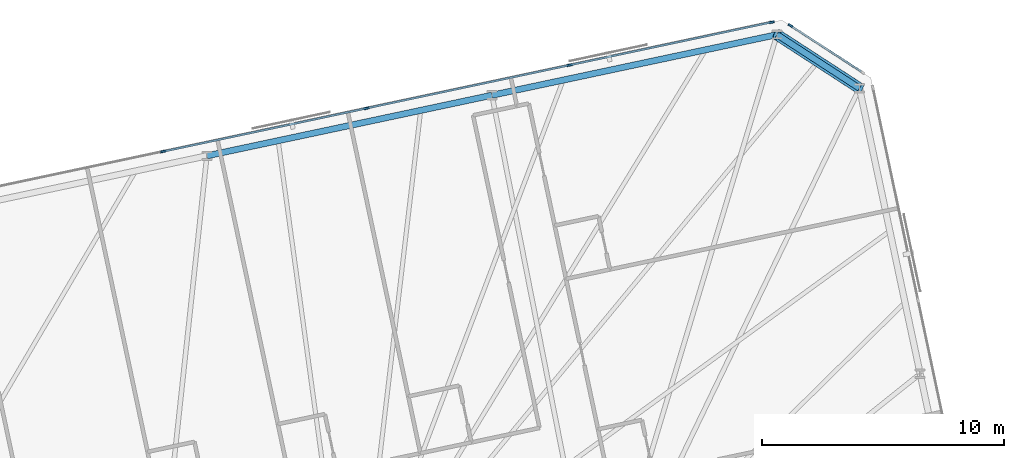
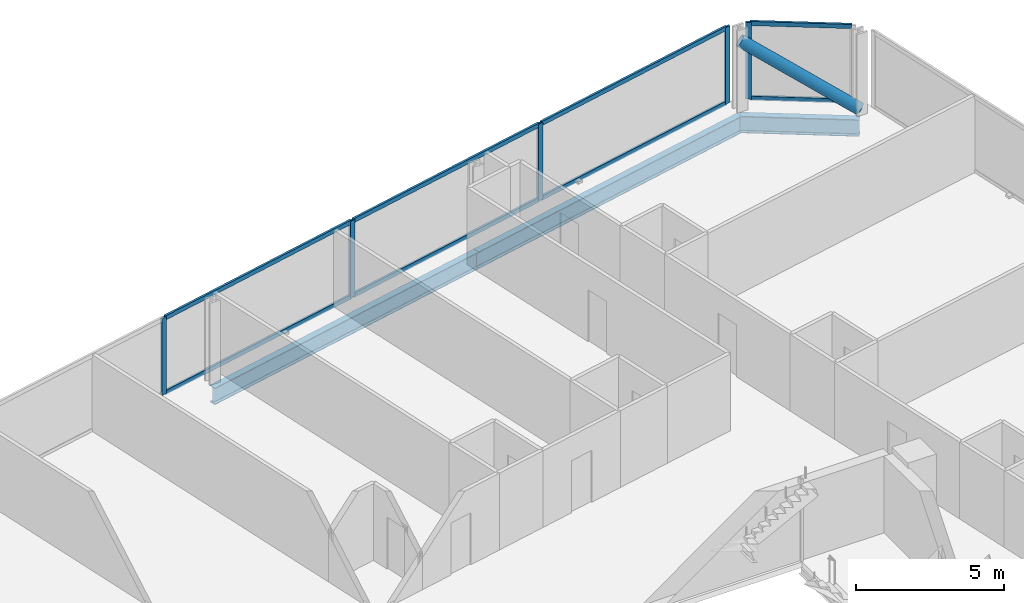
# One storey, part 11 of 20: 14 members, 3 beams, 2 elements without a shape of their own.
"""IFC4 building model written with IfcOpenShell, lengths in metres."""

import ifcopenshell
import ifcopenshell.guid

model = None  # the IFC model being written
_history = None  # IfcOwnerHistory: only IFC2X3 demands one
_inside = {}  # id of a spatial element -> (the spatial element, [elements in it])
_under = {}  # id of a project, library or spatial element -> (it, [spatial elements below it])
_declared = {}  # id of a project -> (the project, [libraries it declares])
_typed = {}  # id of a type object -> (the type object, [elements of that type])
_made_of = {}  # id of a material, layer set ... -> (it, [elements and type objects made of it])


def new_model(schema):
    """Start an empty IFC model of exactly this schema.

    Asked for "IFC4X3", IfcOpenShell would pick the latest addendum, in which some entities
    have other attributes; the version numbers below select the first issue.
    IFC2X3 requires an IfcOwnerHistory on every rooted entity: one is made here for all.
    """
    global model, _history
    if schema == "IFC4X3":
        model = ifcopenshell.file(schema_version=(4, 3, 0, 0))
    else:
        model = ifcopenshell.file(schema=schema)
    _inside.clear()
    _under.clear()
    _declared.clear()
    _typed.clear()
    _made_of.clear()
    _history = None
    if model.schema == "IFC2X3":
        org = make("IfcOrganization", Name="unknown")
        user = make(
            "IfcPersonAndOrganization",
            ThePerson=make("IfcPerson", FamilyName="unknown"),
            TheOrganization=org,
        )
        app = make(
            "IfcApplication",
            ApplicationDeveloper=org,
            Version="unknown",
            ApplicationFullName="unknown",
            ApplicationIdentifier="unknown",
        )
        _history = make(
            "IfcOwnerHistory",
            OwningUser=user,
            OwningApplication=app,
            ChangeAction="ADDED",
            CreationDate=0,
        )
    return model


def make(cls, **values):
    """One entity of the class cls with the attributes given. An attribute that is None is left unset."""
    return model.create_entity(
        cls, **{name: value for name, value in values.items() if value is not None}
    )


def rooted(cls, **values):
    """An entity with a GlobalId (a new one), such as an element, a storey or a relation."""
    return make(cls, GlobalId=ifcopenshell.guid.new(), OwnerHistory=_history, **values)


def si_unit(unit_type, name, prefix=None):
    """IfcSIUnit, for example si_unit("LENGTHUNIT", "METRE", prefix="MILLI")."""
    return make("IfcSIUnit", UnitType=unit_type, Prefix=prefix, Name=name)


def assignment(units):
    """IfcUnitAssignment: the units of a project."""
    return None if units is None else make("IfcUnitAssignment", Units=units)


def point(xyz):
    """IfcCartesianPoint."""
    return None if xyz is None else make("IfcCartesianPoint", Coordinates=xyz)


def direction(xyz):
    """IfcDirection."""
    return None if xyz is None else make("IfcDirection", DirectionRatios=xyz)


def frame(location, z_axis=None, x_axis=None):
    """IfcAxis2Placement3D, a coordinate frame: its origin and axes. An axis left out is left unset."""
    return make(
        "IfcAxis2Placement3D",
        Location=point(location),
        Axis=direction(z_axis),
        RefDirection=direction(x_axis),
    )


def frame_2d(location, x_axis=None):
    """IfcAxis2Placement2D, a coordinate frame in the plane: its origin and x axis."""
    return make(
        "IfcAxis2Placement2D", Location=point(location), RefDirection=direction(x_axis)
    )


def origin():
    """The frame at (0, 0, 0) with its axes left unset."""
    return frame((0.0, 0.0, 0.0))


def origin_2d():
    """The frame at (0, 0) in the plane with its x axis left unset."""
    return frame_2d((0.0, 0.0))


def place(relative_to, where):
    """IfcLocalPlacement: puts the frame where relative to a parent placement (None: the world)."""
    return make(
        "IfcLocalPlacement", PlacementRelTo=relative_to, RelativePlacement=where
    )


def context(
    kind, dimensions, precision=None, world=None, true_north=None, identifier=None
):
    """IfcGeometricRepresentationContext, for example the 3D "Model" context."""
    return make(
        "IfcGeometricRepresentationContext",
        ContextIdentifier=identifier,
        ContextType=kind,
        CoordinateSpaceDimension=dimensions,
        Precision=precision,
        WorldCoordinateSystem=world,
        TrueNorth=true_north,
    )


def subcontext(parent, identifier, kind, view, scale=None):
    """IfcGeometricRepresentationSubContext, for example "Body" below "Model"."""
    return make(
        "IfcGeometricRepresentationSubContext",
        ContextIdentifier=identifier,
        ContextType=kind,
        ParentContext=parent,
        TargetScale=scale,
        TargetView=view,
    )


def project(units=None, contexts=None):
    """IfcProject with its units and contexts."""
    return rooted(
        "IfcProject",
        Name="project",
        RepresentationContexts=contexts,
        UnitsInContext=assignment(units),
    )


def spatial(cls, under=None, at=None, **own):
    """A site, building, storey or space (cls), placed at a placement, below another one or the project."""
    s = rooted(cls, ObjectPlacement=at, **own)
    if under is not None:
        _under.setdefault(under.id(), (under, []))[1].append(s)
    return s


def profile(cls, at=None, kind="AREA", **sizes):
    """A parametric profile (cls). Its sizes go by their IFC names, for example OverallWidth=200.0."""
    return make(cls, ProfileType=kind, Position=at, **sizes)


def rectangle(**sizes):
    """IfcRectangleProfileDef."""
    return profile("IfcRectangleProfileDef", **sizes)


def hollow_circle(**sizes):
    """IfcCircleHollowProfileDef."""
    return profile("IfcCircleHollowProfileDef", **sizes)


def i_section(**sizes):
    """IfcIShapeProfileDef."""
    return profile("IfcIShapeProfileDef", **sizes)


def extrude(swept, where, along, depth):
    """IfcExtrudedAreaSolid: the profile swept, set in the frame where, extruded along a direction by depth."""
    return make(
        "IfcExtrudedAreaSolid",
        SweptArea=swept,
        Position=where,
        ExtrudedDirection=direction(along),
        Depth=depth,
    )


def shape(context_of_items, identifier, shape_type, items):
    """IfcShapeRepresentation: the items that make up one representation, for example the "Body"."""
    return make(
        "IfcShapeRepresentation",
        ContextOfItems=context_of_items,
        RepresentationIdentifier=identifier,
        RepresentationType=shape_type,
        Items=items,
    )


def material(Name=None, Category=None):
    """IfcMaterial."""
    return make("IfcMaterial", Name=Name, Category=Category)


def material_profile(
    of_material, cross_section, Name=None, Category=None, Priority=None
):
    """IfcMaterialProfile: a cross section and its material."""
    return make(
        "IfcMaterialProfile",
        Name=Name,
        Material=of_material,
        Profile=cross_section,
        Priority=Priority,
        Category=Category,
    )


def profile_set(profiles, Name=None, composite=None):
    """IfcMaterialProfileSet."""
    return make(
        "IfcMaterialProfileSet",
        Name=Name,
        MaterialProfiles=profiles,
        CompositeProfile=composite,
    )


def made_of(thing, what):
    """Note that an element or type object is made of a material, layer set ...; save() writes the relation."""
    if what is not None:
        _made_of.setdefault(what.id(), (what, []))[1].append(thing)
    return thing


def type_object(cls, material=None, **own):
    """A type object (cls), such as IfcWallType, which elements share."""
    return made_of(rooted(cls, **own), material)


def element(
    cls,
    number,
    at=None,
    inside=None,
    cuts=None,
    type_object=None,
    material=None,
    context=None,
    identifier="Body",
    shape_type=None,
    held_by="IfcProductDefinitionShape",
    body=None,
    shapes=None,
    **own,
):
    """One element of the class cls, such as IfcWall. Its Tag is "e" and its number.

    at: its placement. inside: the storey or other place that contains it. cuts: it is an
    opening in that element (IfcRelVoidsElement). A single representation is given by context,
    identifier, shape_type and body (its items); several are given by shapes. held_by: the class
    of the entity that holds the representations. save() writes the other relations.
    """
    e = rooted(cls, Tag="e%d" % number, ObjectPlacement=at, **own)
    if body is not None:
        shapes = [shape(context, identifier, shape_type, body)]
    if shapes is not None:
        e.Representation = make(held_by, Representations=shapes)
    if inside is not None:
        _inside.setdefault(inside.id(), (inside, []))[1].append(e)
    if cuts is not None:
        rooted(
            "IfcRelVoidsElement", RelatingBuildingElement=cuts, RelatedOpeningElement=e
        )
    if type_object is not None:
        _typed.setdefault(type_object.id(), (type_object, []))[1].append(e)
    return made_of(e, material)


def aggregate(whole, parts):
    """IfcRelAggregates: a whole, such as a stair, and the parts it consists of."""
    return rooted("IfcRelAggregates", RelatingObject=whole, RelatedObjects=parts)


def save(model, path):
    """Write the relations noted so far, then the file.

    IfcRelAggregates (storeys below a building ...), IfcRelContainedInSpatialStructure (elements
    in a storey), IfcRelDefinesByType, IfcRelAssociatesMaterial and IfcRelDeclares: one each for
    every whole, place, type object, material and project.
    """
    for whole, parts in _under.values():
        aggregate(whole, parts)
    for where, things in _inside.values():
        rooted(
            "IfcRelContainedInSpatialStructure",
            RelatedElements=things,
            RelatingStructure=where,
        )
    for kind, things in _typed.values():
        rooted("IfcRelDefinesByType", RelatedObjects=things, RelatingType=kind)
    for what, things in _made_of.values():
        rooted("IfcRelAssociatesMaterial", RelatedObjects=things, RelatingMaterial=what)
    for by, libraries in _declared.values():
        rooted("IfcRelDeclares", RelatingContext=by, RelatedDefinitions=libraries)
    model.write(path)


model = new_model("IFC4")

# Units and contexts
model_context = context("Model", 3, precision=1e-05, world=origin(), true_north=direction((0.0, 1.0)))
body_context = subcontext(model_context, "Body", "Model", "MODEL_VIEW")
ifc_project = project(units=[si_unit("LENGTHUNIT", "METRE"), si_unit("AREAUNIT", "SQUARE_METRE"), si_unit("VOLUMEUNIT", "CUBIC_METRE"), si_unit("PLANEANGLEUNIT", "RADIAN"), si_unit("MASSUNIT", "GRAM", prefix="KILO")], contexts=[model_context])

# Site, building, storey
site_placement = place(None, origin())
site = spatial("IfcSite", under=ifc_project, at=site_placement, CompositionType="ELEMENT")
building_placement = place(site_placement, origin())
building = spatial("IfcBuilding", under=site, at=building_placement, Name="Menara Jurai Vektor", CompositionType="ELEMENT")
storey_placement = place(building_placement, frame((0.0, 0.0, 178.60009765625)))
storey = spatial("IfcBuildingStorey", under=building, at=storey_placement, Name="L46", CompositionType="ELEMENT", Elevation=178.60009765625)

# Curtain wall, member
ifc_material_1 = material(Name="Anodised Pale Aluminium & Low-E Double Glazing", Category="aluminium")
curtain_wall_type = type_object("IfcCurtainWallType", Name="CW-BLK3", PredefinedType="NOTDEFINED", material=ifc_material_1)
curtain_wall_1_placement = place(storey_placement, origin())
curtain_wall_1 = element("IfcCurtainWall", 1, at=curtain_wall_1_placement, inside=storey, type_object=curtain_wall_type, Name="Unitised Curtain Wall L46 F04", PredefinedType="NOTDEFINED")
ifc_material_2 = material(Name="Anodised Pale Aluminium Mullion", Category="aluminium")
ifc_material_profile_1 = material_profile(ifc_material_2, rectangle(XDim=0.0849609375, YDim=0.205078125, at=origin_2d()), Name="ALU MUL 85x205")
ifc_profile_set_1 = profile_set([ifc_material_profile_1], Name="Anodised Pale Aluminium Mullion")
member_type_1 = type_object("IfcMemberType", Name="CW-BLK3-MUL", PredefinedType="MULLION", material=ifc_profile_set_1)
member_1_placement = place(storey_placement, frame((23.219970703125, 29.920654296875, 0.0), z_axis=(0.0, 0.0, 1.0), x_axis=(-0.544617794346, -0.838684361415, 0.0)))
member_1 = element("IfcMember", 2, at=member_1_placement, type_object=member_type_1, Name="CW-03 mullion 2", PredefinedType="MULLION", context=body_context, shape_type="SweptSolid", body=[
    extrude(rectangle(XDim=0.0849609375, YDim=0.205078125, at=origin_2d()), origin(), (0.0, 0.0, 1.0), 3.1748046875),
])

# Curtain wall, members
curtain_wall_2_placement = place(storey_placement, origin())
curtain_wall_2 = element("IfcCurtainWall", 3, at=curtain_wall_2_placement, inside=storey, type_object=curtain_wall_type, Name="Unitised Curtain Wall L46 F05", PredefinedType="NOTDEFINED")
member_2_placement = place(storey_placement, frame((22.452392578125, 30.062744140625, 0.0), z_axis=(0.0, 0.0, 1.0), x_axis=(0.207911344156, -0.978147674419, 0.0)))
member_2 = element("IfcMember", 4, at=member_2_placement, type_object=member_type_1, Name="CW-03 mullion 1", PredefinedType="MULLION", context=body_context, shape_type="SweptSolid", body=[
    extrude(rectangle(XDim=0.0849609375, YDim=0.205078125, at=origin_2d()), origin(), (0.0, 0.0, 1.0), 3.1748046875),
])
member_3_placement = place(storey_placement, frame((14.104248046875, 28.288330078125, 0.0), z_axis=(0.0, 0.0, 1.0), x_axis=(0.207911344156, -0.978147674419, 0.0)))
member_3 = element("IfcMember", 5, at=member_3_placement, type_object=member_type_1, Name="CW-03 mullion 2", PredefinedType="MULLION", context=body_context, shape_type="SweptSolid", body=[
    extrude(rectangle(XDim=0.0849609375, YDim=0.205078125, at=origin_2d()), origin(), (0.0, 0.0, 1.0), 3.1748046875),
])
member_4_placement = place(storey_placement, frame((5.71435546875, 26.505126953125, 0.0), z_axis=(0.0, 0.0, 1.0), x_axis=(0.207911344156, -0.978147674419, 0.0)))
member_4 = element("IfcMember", 6, at=member_4_placement, type_object=member_type_1, Name="CW-03 mullion 3", PredefinedType="MULLION", context=body_context, shape_type="SweptSolid", body=[
    extrude(rectangle(XDim=0.0849609375, YDim=0.205078125, at=origin_2d()), origin(), (0.0, 0.0, 1.0), 3.1748046875),
])
member_5_placement = place(storey_placement, frame((-2.67529296875, 24.721923828125, 0.0), z_axis=(0.0, 0.0, 1.0), x_axis=(0.207911344156, -0.978147674419, 0.0)))
member_5 = element("IfcMember", 7, at=member_5_placement, type_object=member_type_1, Name="CW-03 mullion 4", PredefinedType="MULLION", context=body_context, shape_type="SweptSolid", body=[
    extrude(rectangle(XDim=0.0849609375, YDim=0.205078125, at=origin_2d()), origin(), (0.0, 0.0, 1.0), 3.1748046875),
])

# Member
ifc_material_3 = material(Name="Anodised Pale Aluminium Transom", Category="aluminium")
ifc_material_profile_2 = material_profile(ifc_material_3, rectangle(XDim=0.0849609375, YDim=0.175048828125, at=origin_2d()), Name="ALU TRN 85x175")
ifc_profile_set_2 = profile_set([ifc_material_profile_2], Name="Anodised Pale Aluminium Transom")
member_type_2 = type_object("IfcMemberType", Name="CW-BLK3-TRN", PredefinedType="USERDEFINED", material=ifc_profile_set_2)
member_6_placement = place(storey_placement, frame((26.15234375, 28.016357421875, 0.04248046875), z_axis=(-0.83867770631, 0.54462804274, 0.0), x_axis=(-0.54462804274, -0.83867770631, 0.0)))
member_6 = element("IfcMember", 8, at=member_6_placement, type_object=member_type_2, Name="CW-03 transom 1.1", ObjectType="TRANSOM", PredefinedType="USERDEFINED", context=body_context, shape_type="SweptSolid", body=[
    extrude(rectangle(XDim=0.0849609375, YDim=0.175048828125, at=origin_2d()), origin(), (0.0, 0.0, 1.0), 3.453857421875),
])

member_7_placement = place(storey_placement, frame((26.15234375, 28.016357421875, 3.13232421875), z_axis=(-0.83867770631, 0.54462804274, 0.0), x_axis=(-0.54462804274, -0.83867770631, 0.0)))
member_7 = element("IfcMember", 9, at=member_7_placement, type_object=member_type_2, Name="CW-03 transom 1.2", ObjectType="TRANSOM", PredefinedType="USERDEFINED", context=body_context, shape_type="SweptSolid", body=[
    extrude(rectangle(XDim=0.0849609375, YDim=0.175048828125, at=origin_2d()), origin(), (0.0, 0.0, 1.0), 3.453857421875),
])

aggregate(curtain_wall_1, [member_1, member_6, member_7])

member_8_placement = place(storey_placement, frame((22.41064453125, 30.053955078125, 0.04248046875), z_axis=(-0.978151580361, -0.207892967261, 0.0), x_axis=(0.207892967261, -0.978151580361, 0.0)))
member_8 = element("IfcMember", 10, at=member_8_placement, type_object=member_type_2, Name="CW-03 transom 1.1", ObjectType="TRANSOM", PredefinedType="USERDEFINED", context=body_context, shape_type="SweptSolid", body=[
    extrude(rectangle(XDim=0.0849609375, YDim=0.175048828125, at=origin_2d()), origin(), (0.0, 0.0, 1.0), 8.449462890625),
])

member_9_placement = place(storey_placement, frame((22.41064453125, 30.053955078125, 3.13232421875), z_axis=(-0.978151580361, -0.207892967261, 0.0), x_axis=(0.207892967261, -0.978151580361, 0.0)))
member_9 = element("IfcMember", 11, at=member_9_placement, type_object=member_type_2, Name="CW-03 transom 1.2", ObjectType="TRANSOM", PredefinedType="USERDEFINED", context=body_context, shape_type="SweptSolid", body=[
    extrude(rectangle(XDim=0.0849609375, YDim=0.175048828125, at=origin_2d()), origin(), (0.0, 0.0, 1.0), 8.449462890625),
])

member_10_placement = place(storey_placement, frame((14.0625, 28.279541015625, 0.04248046875), z_axis=(-0.978146500933, -0.207916864907, 0.0), x_axis=(0.207916864907, -0.978146500933, 0.0)))
member_10 = element("IfcMember", 12, at=member_10_placement, type_object=member_type_2, Name="CW-03 transom 2.1", ObjectType="TRANSOM", PredefinedType="USERDEFINED", context=body_context, shape_type="SweptSolid", body=[
    extrude(rectangle(XDim=0.0849609375, YDim=0.175048828125, at=origin_2d()), origin(), (0.0, 0.0, 1.0), 8.491943359375),
])

member_11_placement = place(storey_placement, frame((14.0625, 28.279541015625, 3.13232421875), z_axis=(-0.978146500933, -0.207916864907, 0.0), x_axis=(0.207916864907, -0.978146500933, 0.0)))
member_11 = element("IfcMember", 13, at=member_11_placement, type_object=member_type_2, Name="CW-03 transom 2.2", ObjectType="TRANSOM", PredefinedType="USERDEFINED", context=body_context, shape_type="SweptSolid", body=[
    extrude(rectangle(XDim=0.0849609375, YDim=0.175048828125, at=origin_2d()), origin(), (0.0, 0.0, 1.0), 8.491943359375),
])

member_12_placement = place(storey_placement, frame((5.6728515625, 26.496337890625, 0.04248046875), z_axis=(-0.978147743708, -0.207911018178, 0.0), x_axis=(0.207911018178, -0.978147743708, 0.0)))
member_12 = element("IfcMember", 14, at=member_12_placement, type_object=member_type_2, Name="CW-03 transom 3.1", ObjectType="TRANSOM", PredefinedType="USERDEFINED", context=body_context, shape_type="SweptSolid", body=[
    extrude(rectangle(XDim=0.0849609375, YDim=0.175048828125, at=origin_2d()), origin(), (0.0, 0.0, 1.0), 8.4921875),
])

member_13_placement = place(storey_placement, frame((5.6728515625, 26.496337890625, 3.13232421875), z_axis=(-0.978147743708, -0.207911018178, 0.0), x_axis=(0.207911018178, -0.978147743708, 0.0)))
member_13 = element("IfcMember", 15, at=member_13_placement, type_object=member_type_2, Name="CW-03 transom 3.2", ObjectType="TRANSOM", PredefinedType="USERDEFINED", context=body_context, shape_type="SweptSolid", body=[
    extrude(rectangle(XDim=0.0849609375, YDim=0.175048828125, at=origin_2d()), origin(), (0.0, 0.0, 1.0), 8.4921875),
])

aggregate(curtain_wall_2, [member_2, member_3, member_4, member_5, member_8, member_9, member_10, member_11, member_12, member_13])

ifc_material_4 = material(Name="Steel S460", Category="steel")
ifc_material_profile_3 = material_profile(ifc_material_4, hollow_circle(Radius=0.228515625, WallThickness=0.01611328125, at=origin_2d()), Name="CHS 457x16")
ifc_profile_set_3 = profile_set([ifc_material_profile_3], Name="Steel S460")
member_type_3 = type_object("IfcMemberType", Name="STR-BR-457", PredefinedType="BRACE", material=ifc_profile_set_3)
member_14_placement = place(storey_placement, frame((26.0712890625, 27.33349609375, 0.14990234375), z_axis=(-0.700418818423, 0.454848055166, 0.550024295382), x_axis=(-0.544631249681, -0.838675623749, 0.0)))
element("IfcMember", 16, at=member_14_placement, inside=storey, type_object=member_type_3, Name="Exoskeleton Corner Brace L46-2", PredefinedType="BRACE", context=body_context, shape_type="SweptSolid", body=[
    extrude(hollow_circle(Radius=0.228515625, WallThickness=0.01611328125, at=origin_2d()), origin(), (0.0, 0.0, 1.0), 4.863525390625),
])

# Beams
ifc_material_profile_4 = material_profile(ifc_material_4, i_section(OverallWidth=0.256103515625, OverallDepth=0.693115234375, WebThickness=0.013916015625, FlangeThickness=0.02392578125, FilletRadius=0.014892578125, at=origin_2d()), Name="UKB 686x254x170")
ifc_profile_set_4 = profile_set([ifc_material_profile_4], Name="Steel S460")
beam_type = type_object("IfcBeamType", Name="STR-SP-686", PredefinedType="SPANDREL", material=ifc_profile_set_4)
beam_1_placement = place(storey_placement, frame((26.0712890625, 27.33349609375, -0.571533203125), z_axis=(-0.838675623749, 0.544631249681, 0.0), x_axis=(-0.544631249681, -0.838675623749, 0.0)))
element("IfcBeam", 17, at=beam_1_placement, inside=storey, type_object=beam_type, Name="Exoskeleton Spandrel Beam L46-10", PredefinedType="SPANDREL", context=body_context, shape_type="SweptSolid", body=[
    extrude(i_section(OverallWidth=0.256103515625, OverallDepth=0.693115234375, WebThickness=0.013916015625, FlangeThickness=0.02392578125, FilletRadius=0.014892578125, at=origin_2d()), origin(), (0.0, 0.0, 1.0), 4.061767578125),
])
beam_2_placement = place(storey_placement, frame((22.664794921875, 29.545654296875, -0.571533203125), z_axis=(-0.978147039247, -0.207914332389, 0.0), x_axis=(0.207914332389, -0.978147039247, 0.0)))
element("IfcBeam", 18, at=beam_2_placement, inside=storey, type_object=beam_type, Name="Exoskeleton Spandrel Beam L46-11", PredefinedType="SPANDREL", context=body_context, shape_type="SweptSolid", body=[
    extrude(i_section(OverallWidth=0.256103515625, OverallDepth=0.693115234375, WebThickness=0.013916015625, FlangeThickness=0.02392578125, FilletRadius=0.014892578125, at=origin_2d()), origin(), (0.0, 0.0, 1.0), 12.03125),
])
beam_3_placement = place(storey_placement, frame((10.896484375, 27.044189453125, -0.571533203125), z_axis=(-0.978150288855, -0.207899043801, 0.0), x_axis=(0.207899043801, -0.978150288855, 0.0)))
element("IfcBeam", 19, at=beam_3_placement, inside=storey, type_object=beam_type, Name="Exoskeleton Spandrel Beam L46-12", PredefinedType="SPANDREL", context=body_context, shape_type="SweptSolid", body=[
    extrude(i_section(OverallWidth=0.256103515625, OverallDepth=0.693115234375, WebThickness=0.013916015625, FlangeThickness=0.02392578125, FilletRadius=0.014892578125, at=origin_2d()), origin(), (0.0, 0.0, 1.0), 12.031005859375),
])

save(model, "model.ifc")
